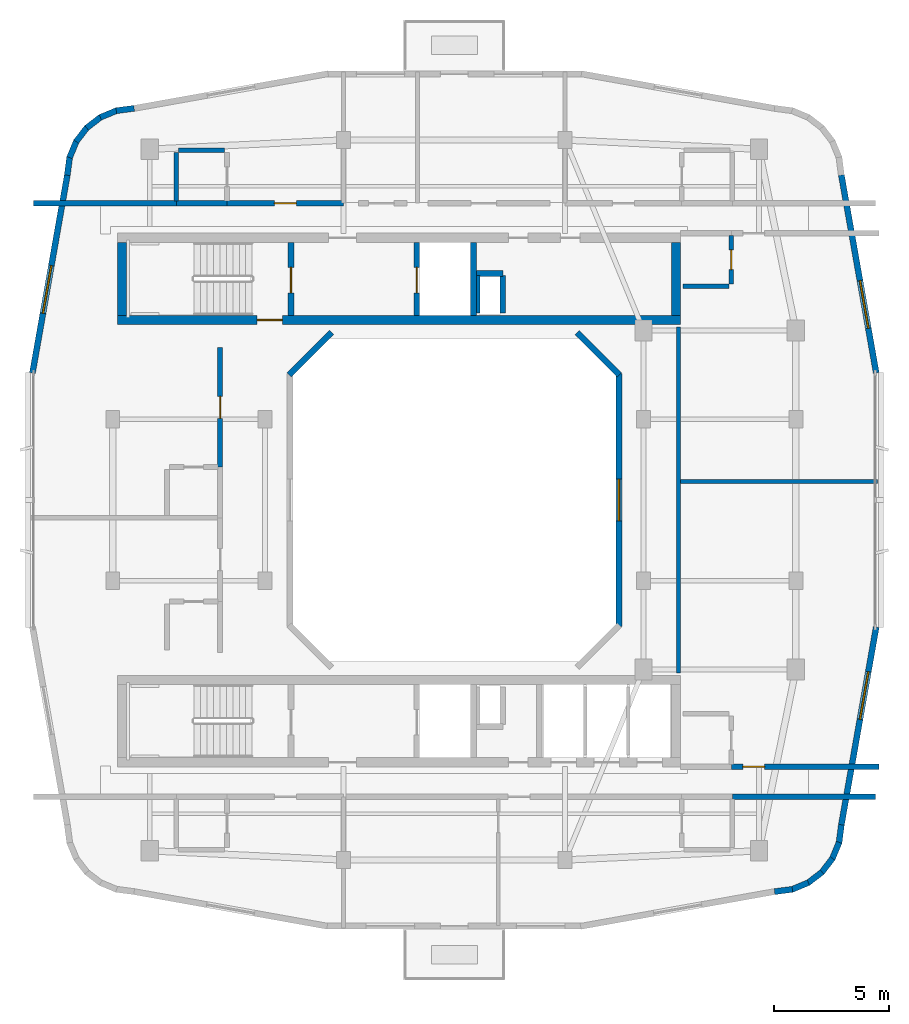
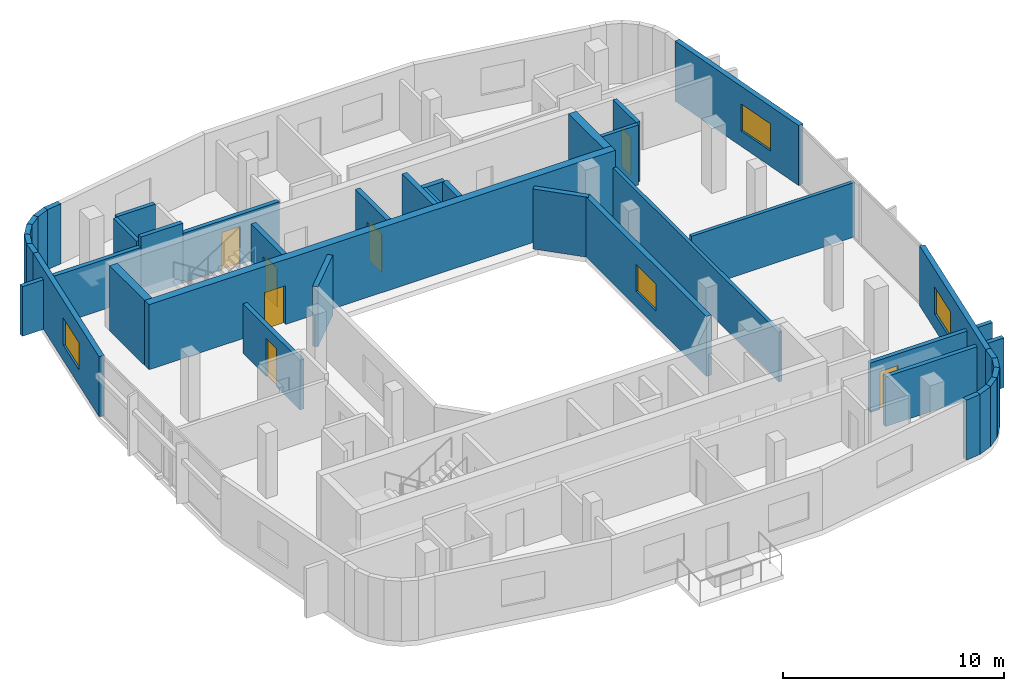
# One storey, part 5 of 10: 39 walls, 7 doors, 4 windows, 11 openings.
"""IFC4 building model written with IfcOpenShell, lengths in metres."""

from ifc_helpers import new_model, si_unit, derived_unit, direction, frame, frame_2d, origin, place, context, subcontext, project, spatial, rectangle, extrude, material, layer, layer_set, type_object, element, fill, save


model = new_model("IFC4")

# Units and contexts
model_context = context("Model", 3, precision=1e-05, world=origin(), true_north=direction((0.0, 1.0)))
body_context = subcontext(model_context, "Body", "Model", "MODEL_VIEW")
ifc_project = project(units=[si_unit("LENGTHUNIT", "METRE"), si_unit("AREAUNIT", "SQUARE_METRE"), si_unit("VOLUMEUNIT", "CUBIC_METRE"), si_unit("PLANEANGLEUNIT", "RADIAN"), si_unit("MASSUNIT", "GRAM", prefix="KILO"), derived_unit("THERMALTRANSMITTANCEUNIT", [(si_unit("POWERUNIT", "WATT"), 1), (si_unit("LENGTHUNIT", "METRE"), -2), (si_unit("THERMODYNAMICTEMPERATUREUNIT", "KELVIN"), -1)])], contexts=[model_context])

# Site, building, storey
site_placement = place(None, origin())
site = spatial("IfcSite", under=ifc_project, at=site_placement, CompositionType="ELEMENT")
building_placement = place(site_placement, origin())
building = spatial("IfcBuilding", under=site, at=building_placement, Name="Kivonza Crest Hotel", CompositionType="ELEMENT")
storey_placement = place(building_placement, frame((0.0, 0.0, 243.199951171875)))
storey = spatial("IfcBuildingStorey", under=building, at=storey_placement, Name="L66", CompositionType="ELEMENT", Elevation=243.199951171875)

# Walls
ifc_material_1 = material(Name="High-density acoustic masonry inter-tenancy wall", Category="masonry")
ifc_layer_1 = layer(ifc_material_1, 0.179931640625)
ifc_layer_set_1 = layer_set([ifc_layer_1], Name="High-density acoustic masonry inter-tenancy wall")
wall_type_1 = type_object("IfcWallType", Name="WL-ACOU-180", PredefinedType="SOLIDWALL", material=ifc_layer_set_1)
wall_1_placement = place(storey_placement, frame((30.800048828125, 25.800048828125, 0.0), z_axis=(0.0, 0.0, 1.0), x_axis=(1.0, 0.0, 0.0)))
element("IfcWall", 1, at=wall_1_placement, inside=storey, type_object=wall_type_1, Name="L66 interior partition WA-L66-T1EC-DIV", PredefinedType="SOLIDWALL", context=body_context, shape_type="SweptSolid", body=[
    extrude(rectangle(XDim=8.5400390625, YDim=0.179931640625, at=frame_2d((4.27001953125, 0.0))), origin(), (0.0, 0.0, 1.0), 3.01513671875),
])
wall_2_placement = place(storey_placement, frame((30.7099609375, 17.5, 0.0), z_axis=(0.0, 0.0, 1.0), x_axis=(0.0, 1.0, 0.0)))
element("IfcWall", 2, at=wall_2_placement, inside=storey, type_object=wall_type_1, Name="L66 interior partition WA-L66-T1EC-W", PredefinedType="SOLIDWALL", context=body_context, shape_type="SweptSolid", body=[
    extrude(rectangle(XDim=15.0, YDim=0.179931640625, at=frame_2d((7.5, 0.0))), origin(), (0.0, 0.0, 1.0), 2.7451171875),
])
ifc_material_2 = material(Name="Autoclaved aerated concrete blockwork", Category="masonry")
ifc_layer_2 = layer(ifc_material_2, 0.219970703125)
ifc_layer_set_2 = layer_set([ifc_layer_2], Name="Autoclaved aerated concrete blockwork")
wall_type_2 = type_object("IfcWallType", Name="WL-ACOU-220", PredefinedType="SOLIDWALL", material=ifc_layer_set_2)
wall_3_placement = place(storey_placement, frame((2.760009765625, 37.860107421875, 0.0), z_axis=(0.0, 0.0, 1.0), x_axis=(1.0, 0.0, 0.0)))
element("IfcWall", 3, at=wall_3_placement, inside=storey, type_object=wall_type_2, Name="L66 interior partition WA-L66-N01-XCORR", PredefinedType="SOLIDWALL", context=body_context, shape_type="SweptSolid", body=[
    extrude(rectangle(XDim=6.18994140625, YDim=0.219970703125, at=frame_2d((3.094970703125, 0.0))), origin(), (0.0, 0.0, 1.0), 2.7451171875),
])
wall_4_placement = place(storey_placement, frame((8.949951171875, 37.860107421875, 0.0), z_axis=(0.0, 0.0, 1.0), x_axis=(1.0, 0.0, 0.0)))
element("IfcWall", 4, at=wall_4_placement, inside=storey, type_object=wall_type_2, Name="L66 interior partition WA-L66-N01-BCORR", PredefinedType="SOLIDWALL", context=body_context, shape_type="SweptSolid", body=[
    extrude(rectangle(XDim=2.199951171875, YDim=0.219970703125, at=frame_2d((1.10009765625, 0.0))), origin(), (0.0, 0.0, 1.0), 3.320068359375),
])

# Wall, opening, door
wall_5_placement = place(storey_placement, frame((11.14990234375, 37.860107421875, 0.0), z_axis=(0.0, 0.0, 1.0), x_axis=(1.0, 0.0, 0.0)))
wall_5 = element("IfcWall", 5, at=wall_5_placement, inside=storey, type_object=wall_type_2, Name="L66 interior partition WA-L66-N01-MCORR", PredefinedType="SOLIDWALL", context=body_context, shape_type="SweptSolid", body=[
    extrude(rectangle(XDim=5.050048828125, YDim=0.219970703125, at=frame_2d((2.52490234375, 0.0))), origin(), (0.0, 0.0, 1.0), 2.7451171875),
])
opening_1_placement = place(wall_5_placement, frame((2.050048828125, 0.0, 0.0)))
opening_1 = element("IfcOpeningElement", 6, at=opening_1_placement, cuts=wall_5, Name="Opening DU-60", PredefinedType="OPENING", context=body_context, shape_type="SweptSolid", body=[
    extrude(rectangle(XDim=0.949951171875, YDim=2.10009765625, at=frame_2d((0.47509765625, 1.050048828125))), frame((0.0, 0.1201171875, 0.0), z_axis=(0.0, -1.0, 0.0), x_axis=(1.0, 0.0, 0.0)), (0.0, 0.0, 1.0), 0.239990234375),
])
ifc_material_3 = material(Name="Hardwood timber oak", Category="wood")
door_type_1 = type_object("IfcDoorType", Name="DR-UNIT-950", OperationType="NOTDEFINED", PredefinedType="DOOR", material=ifc_material_3)
door_1_placement = place(opening_1_placement, origin())
door_1 = element("IfcDoor", 7, at=door_1_placement, inside=storey, type_object=door_type_1, Name="L66 N01 guest unit entrance fire door", OperationType="SINGLE_SWING_LEFT", OverallHeight=2.10009765625, OverallWidth=0.949951171875, PredefinedType="DOOR", context=body_context, shape_type="SweptSolid", body=[
    extrude(rectangle(XDim=0.949951171875, YDim=2.10009765625, at=frame_2d((0.47509765625, 1.050048828125))), frame((0.0, 0.02490234375, 0.0), z_axis=(0.0, -1.0, 0.0), x_axis=(1.0, 0.0, 0.0)), (0.0, 0.0, 1.0), 0.050048828125),
])
fill(opening_1, door_1)

# Wall
wall_6_placement = place(storey_placement, frame((33.050048828125, 12.139892578125, 0.0), z_axis=(0.0, 0.0, 1.0), x_axis=(1.0, 0.0, 0.0)))
element("IfcWall", 8, at=wall_6_placement, inside=storey, type_object=wall_type_2, Name="L66 interior partition WA-L66-S04-XCORR", PredefinedType="SOLIDWALL", context=body_context, shape_type="SweptSolid", body=[
    extrude(rectangle(XDim=6.18994140625, YDim=0.219970703125, at=frame_2d((3.094970703125, 0.0))), origin(), (0.0, 0.0, 1.0), 2.7451171875),
])

# Wall, opening, door
wall_7_placement = place(storey_placement, frame((10.85009765625, 26.429931640625, 0.0), z_axis=(0.0, 0.0, 1.0), x_axis=(0.0, 1.0, 0.0)))
wall_7 = element("IfcWall", 9, at=wall_7_placement, inside=storey, type_object=wall_type_2, Name="L66 interior partition WA-L66-W06-MCORR", PredefinedType="SOLIDWALL", context=body_context, shape_type="SweptSolid", body=[
    extrude(rectangle(XDim=5.170166015625, YDim=0.219970703125, at=frame_2d((2.5849609375, 0.0))), origin(), (0.0, 0.0, 1.0), 2.7451171875),
])
opening_2_placement = place(wall_7_placement, frame((2.110107421875, 0.0, 0.0)))
opening_2 = element("IfcOpeningElement", 10, at=opening_2_placement, cuts=wall_7, Name="Opening DU-60", PredefinedType="OPENING", context=body_context, shape_type="SweptSolid", body=[
    extrude(rectangle(XDim=0.949951171875, YDim=2.10009765625, at=frame_2d((0.47509765625, 1.050048828125))), frame((0.0, 0.1201171875, 0.0), z_axis=(0.0, -1.0, 0.0), x_axis=(1.0, 0.0, 0.0)), (0.0, 0.0, 1.0), 0.239990234375),
])
door_2_placement = place(opening_2_placement, origin())
door_2 = element("IfcDoor", 11, at=door_2_placement, inside=storey, type_object=door_type_1, Name="L66 W06 guest unit entrance fire door", OperationType="SINGLE_SWING_RIGHT", OverallHeight=2.10009765625, OverallWidth=0.949951171875, PredefinedType="DOOR", context=body_context, shape_type="SweptSolid", body=[
    extrude(rectangle(XDim=0.949951171875, YDim=2.10009765625, at=frame_2d((0.47509765625, 1.050048828125))), frame((0.0, 0.02490234375, 0.0), z_axis=(0.0, -1.0, 0.0), x_axis=(1.0, 0.0, 0.0)), (0.0, 0.0, 1.0), 0.050048828125),
])
fill(opening_2, door_2)

wall_8_placement = place(storey_placement, frame((33.0, 13.43994140625, 0.0), z_axis=(0.0, 0.0, 1.0), x_axis=(1.0, 0.0, 0.0)))
wall_8 = element("IfcWall", 12, at=wall_8_placement, inside=storey, type_object=wall_type_2, Name="L66 interior partition WA-L66-ES07-MCORR", PredefinedType="SOLIDWALL", context=body_context, shape_type="SweptSolid", body=[
    extrude(rectangle(XDim=6.39990234375, YDim=0.219970703125, at=frame_2d((3.199951171875, 0.0))), origin(), (0.0, 0.0, 1.0), 2.7451171875),
])
opening_3_placement = place(wall_8_placement, frame((0.5, 0.0, 0.0)))
opening_3 = element("IfcOpeningElement", 13, at=opening_3_placement, cuts=wall_8, Name="Opening DU-60", PredefinedType="OPENING", context=body_context, shape_type="SweptSolid", body=[
    extrude(rectangle(XDim=0.949951171875, YDim=2.10009765625, at=frame_2d((0.47509765625, 1.050048828125))), frame((0.0, 0.1201171875, 0.0), z_axis=(0.0, -1.0, 0.0), x_axis=(1.0, 0.0, 0.0)), (0.0, 0.0, 1.0), 0.239990234375),
])
door_3_placement = place(opening_3_placement, origin())
door_3 = element("IfcDoor", 14, at=door_3_placement, inside=storey, type_object=door_type_1, Name="L66 ES07 guest unit entrance fire door", OperationType="SINGLE_SWING_RIGHT", OverallHeight=2.10009765625, OverallWidth=0.949951171875, PredefinedType="DOOR", context=body_context, shape_type="SweptSolid", body=[
    extrude(rectangle(XDim=0.949951171875, YDim=2.10009765625, at=frame_2d((0.47509765625, 1.050048828125))), frame((0.0, 0.02490234375, 0.0), z_axis=(0.0, -1.0, 0.0), x_axis=(1.0, 0.0, 0.0)), (0.0, 0.0, 1.0), 0.050048828125),
])
fill(opening_3, door_3)

ifc_material_4 = material(Name="Concrete C50/60", Category="concrete")
ifc_layer_3 = layer(ifc_material_4, 0.39990234375)
ifc_layer_set_3 = layer_set([ifc_layer_3], Name="Concrete C50/60")
wall_type_3 = type_object("IfcWallType", Name="WL-CORE-400", PredefinedType="SHEAR", material=ifc_layer_set_3)
wall_9_placement = place(storey_placement, frame((6.39990234375, 32.800048828125, 0.0), z_axis=(0.0, 0.0, 1.0), x_axis=(1.0, 0.0, 0.0)))
wall_9 = element("IfcWall", 15, at=wall_9_placement, inside=storey, type_object=wall_type_3, Name="Core wall T1-N South L66", PredefinedType="SHEAR", context=body_context, shape_type="SweptSolid", body=[
    extrude(rectangle(XDim=24.400146484375, YDim=0.39990234375, at=frame_2d((12.2001953125, 0.0))), origin(), (0.0, 0.0, 1.0), 3.60009765625),
])
opening_4_placement = place(wall_9_placement, frame((6.050048828125, 0.0, 0.0)))
opening_4 = element("IfcOpeningElement", 16, at=opening_4_placement, cuts=wall_9, Name="Opening DF-120", PredefinedType="OPENING", context=body_context, shape_type="SweptSolid", body=[
    extrude(rectangle(XDim=1.10009765625, YDim=2.14990234375, at=frame_2d((0.550048828125, 1.074951171875))), frame((0.0, 0.2099609375, 0.0), z_axis=(0.0, -1.0, 0.0), x_axis=(1.0, 0.0, 0.0)), (0.0, 0.0, 1.0), 0.419921875),
])
ifc_material_5 = material(Name="Galvanised steel", Category="steel")
door_type_2 = type_object("IfcDoorType", Name="DR-FD120-1100", OperationType="NOTDEFINED", PredefinedType="DOOR", material=ifc_material_5)
door_4_placement = place(opening_4_placement, origin())
door_4 = element("IfcDoor", 17, at=door_4_placement, inside=storey, type_object=door_type_2, Name="L66 West corridor stair access fire door", OperationType="SINGLE_SWING_LEFT", OverallHeight=2.14990234375, OverallWidth=1.10009765625, PredefinedType="DOOR", context=body_context, shape_type="SweptSolid", body=[
    extrude(rectangle(XDim=1.10009765625, YDim=2.14990234375, at=frame_2d((0.550048828125, 1.074951171875))), frame((0.0, 0.02490234375, 0.0), z_axis=(0.0, -1.0, 0.0), x_axis=(1.0, 0.0, 0.0)), (0.0, 0.0, 1.0), 0.050048828125),
])
fill(opening_4, door_4)

# Walls
for number, where, z_axis, x_axis, name in (
    (18, (6.60009765625, 33.0, 0.0), (0.0, 0.0, 1.0), (0.0, 1.0, 0.0), "Core wall T1-N West L66"),
    (19, (30.60009765625, 33.0, 0.0), (0.0, 0.0, 1.0), (0.0, 1.0, 0.0), "Core wall T1-N East L66"),
):
    element("IfcWall", number, at=place(storey_placement, frame(where, z_axis=z_axis, x_axis=x_axis)), inside=storey, type_object=wall_type_3, Name=name, PredefinedType="SHEAR", context=body_context, shape_type="SweptSolid", body=[
        extrude(rectangle(XDim=3.159912109375, YDim=0.39990234375, at=frame_2d((1.580078125, 0.0))), origin(), (0.0, 0.0, 1.0), 3.60009765625),
    ])
ifc_material_6 = material(Name="Precast concrete C40/50", Category="concrete")
ifc_layer_4 = layer(ifc_material_6, 0.260009765625)
ifc_layer_set_4 = layer_set([ifc_layer_4], Name="Precast concrete C40/50")
wall_type_4 = type_object("IfcWallType", Name="WL-EXT-260", PredefinedType="STANDARD", material=ifc_layer_set_4)
wall_10_placement = place(storey_placement, frame((34.875, 8.028076171875, 0.0), z_axis=(0.0, 0.0, 1.0), x_axis=(0.991458553189, 0.130422150372, 0.0)))
element("IfcWall", 20, at=wall_10_placement, inside=storey, type_object=wall_type_4, Name="L66 T1 exterior insulated wall 10", PredefinedType="STANDARD", context=body_context, shape_type="SweptSolid", body=[
    extrude(rectangle(XDim=0.780517578125, YDim=0.260009765625, at=frame_2d((0.39013671875, 0.0))), origin(), (0.0, 0.0, 1.0), 3.320068359375),
])
wall_11_placement = place(storey_placement, frame((35.60302734375, 8.112060546875, 0.0), z_axis=(0.0, 0.0, 1.0), x_axis=(0.923789573295, 0.382900540965, 0.0)))
element("IfcWall", 21, at=wall_11_placement, inside=storey, type_object=wall_type_4, Name="L66 T1 exterior insulated wall 11", PredefinedType="STANDARD", context=body_context, shape_type="SweptSolid", body=[
    extrude(rectangle(XDim=0.798828125, YDim=0.260009765625, at=frame_2d((0.3994140625, 0.0))), origin(), (0.0, 0.0, 1.0), 3.320068359375),
])
for number, where, z_axis, x_axis, name in (
    (22, (36.301025390625, 8.389892578125, 0.0), (0.0, 0.0, 1.0), (0.793158129381, 0.609015748398, 0.0), "L66 T1 exterior insulated wall 12"),
    (23, (36.903076171875, 8.837890625, 0.0), (0.0, 0.0, 1.0), (0.608823262828, 0.793305889705, 0.0), "L66 T1 exterior insulated wall 13"),
):
    element("IfcWall", number, at=place(storey_placement, frame(where, z_axis=z_axis, x_axis=x_axis)), inside=storey, type_object=wall_type_4, Name=name, PredefinedType="STANDARD", context=body_context, shape_type="SweptSolid", body=[
        extrude(rectangle(XDim=0.798095703125, YDim=0.260009765625, at=frame_2d((0.39892578125, 0.0))), origin(), (0.0, 0.0, 1.0), 3.320068359375),
    ])
wall_12_placement = place(storey_placement, frame((37.367919921875, 9.427001953125, 0.0), z_axis=(0.0, 0.0, 1.0), x_axis=(0.383161279238, 0.923681457047, 0.0)))
element("IfcWall", 24, at=wall_12_placement, inside=storey, type_object=wall_type_4, Name="L66 T1 exterior insulated wall 14", PredefinedType="STANDARD", context=body_context, shape_type="SweptSolid", body=[
    extrude(rectangle(XDim=0.799072265625, YDim=0.260009765625, at=frame_2d((0.3994140625, 0.0))), origin(), (0.0, 0.0, 1.0), 3.320068359375),
])
wall_13_placement = place(storey_placement, frame((37.666015625, 10.115966796875, 0.0), z_axis=(0.0, 0.0, 1.0), x_axis=(0.129850802102, 0.99153354416, 0.0)))
element("IfcWall", 25, at=wall_13_placement, inside=storey, type_object=wall_type_4, Name="L66 T1 exterior insulated wall 15", PredefinedType="STANDARD", context=body_context, shape_type="SweptSolid", body=[
    extrude(rectangle(XDim=0.81591796875, YDim=0.260009765625, at=frame_2d((0.407958984375, 0.0))), origin(), (0.0, 0.0, 1.0), 3.320068359375),
])

# Wall, opening, window
wall_14_placement = place(storey_placement, frame((37.77099609375, 10.9150390625, 0.0), z_axis=(0.0, 0.0, 1.0), x_axis=(0.173396937698, 0.984852020355, 0.0)))
wall_14 = element("IfcWall", 26, at=wall_14_placement, inside=storey, type_object=wall_type_4, Name="L66 T1 exterior insulated wall 16", PredefinedType="STANDARD", context=body_context, shape_type="SweptSolid", body=[
    extrude(rectangle(XDim=8.714111328125, YDim=0.260009765625, at=frame_2d((4.35693359375, 0.0))), origin(), (0.0, 0.0, 1.0), 3.320068359375),
])
opening_5_placement = place(wall_14_placement, frame((4.64697265625, 0.0, 0.85009765625)))
opening_5 = element("IfcOpeningElement", 27, at=opening_5_placement, cuts=wall_14, Name="Opening WN-04", PredefinedType="OPENING", context=body_context, shape_type="SweptSolid", body=[
    extrude(rectangle(XDim=2.10009765625, YDim=1.5, at=frame_2d((1.050048828125, 0.75))), frame((0.0, 0.14013671875, 0.0), z_axis=(0.0, -1.0, 0.0), x_axis=(1.0, 0.0, 0.0)), (0.0, 0.0, 1.0), 0.280029296875),
])
ifc_material_7 = material(Name="Thermally broken bronze aluminium and low-E double glazing", Category="aluminium")
window_type_1 = type_object("IfcWindowType", Name="WN-210x150", PartitioningType="DOUBLE_PANEL_VERTICAL", PredefinedType="WINDOW", material=ifc_material_7)
window_1_placement = place(opening_5_placement, origin())
window_1 = element("IfcWindow", 28, at=window_1_placement, inside=storey, type_object=window_type_1, Name="L66 T1 facade window 16", OverallHeight=1.5, OverallWidth=2.10009765625, PartitioningType="SINGLE_PANEL", PredefinedType="WINDOW", context=body_context, shape_type="SweptSolid", body=[
    extrude(rectangle(XDim=2.10009765625, YDim=1.5, at=frame_2d((1.050048828125, 0.75))), frame((0.0, 0.030029296875, 0.0), z_axis=(0.0, -1.0, 0.0), x_axis=(1.0, 0.0, 0.0)), (0.0, 0.0, 1.0), 0.06005859375),
])
fill(opening_5, window_1)

wall_15_placement = place(storey_placement, frame((39.281982421875, 30.5029296875, 0.0), z_axis=(0.0, 0.0, 1.0), x_axis=(-0.173396937698, 0.984852020355, 0.0)))
wall_15 = element("IfcWall", 29, at=wall_15_placement, inside=storey, type_object=wall_type_4, Name="L66 T1 exterior insulated wall 18", PredefinedType="STANDARD", context=body_context, shape_type="SweptSolid", body=[
    extrude(rectangle(XDim=8.714111328125, YDim=0.260009765625, at=frame_2d((4.35693359375, 0.0))), origin(), (0.0, 0.0, 1.0), 3.320068359375),
])
opening_6_placement = place(wall_15_placement, frame((1.967041015625, 0.0, 0.85009765625)))
opening_6 = element("IfcOpeningElement", 30, at=opening_6_placement, cuts=wall_15, Name="Opening WN-04", PredefinedType="OPENING", context=body_context, shape_type="SweptSolid", body=[
    extrude(rectangle(XDim=2.10009765625, YDim=1.5, at=frame_2d((1.050048828125, 0.75))), frame((0.0, 0.14013671875, 0.0), z_axis=(0.0, -1.0, 0.0), x_axis=(1.0, 0.0, 0.0)), (0.0, 0.0, 1.0), 0.280029296875),
])
window_2_placement = place(opening_6_placement, origin())
window_2 = element("IfcWindow", 31, at=window_2_placement, inside=storey, type_object=window_type_1, Name="L66 T1 facade window 18", OverallHeight=1.5, OverallWidth=2.10009765625, PartitioningType="SINGLE_PANEL", PredefinedType="WINDOW", context=body_context, shape_type="SweptSolid", body=[
    extrude(rectangle(XDim=2.10009765625, YDim=1.5, at=frame_2d((1.050048828125, 0.75))), frame((0.0, 0.030029296875, 0.0), z_axis=(0.0, -1.0, 0.0), x_axis=(1.0, 0.0, 0.0)), (0.0, 0.0, 1.0), 0.06005859375),
])
fill(opening_6, window_2)

# Walls
wall_16_placement = place(storey_placement, frame((7.125, 41.971923828125, 0.0), z_axis=(0.0, 0.0, 1.0), x_axis=(-0.991458553189, -0.130422150372, 0.0)))
element("IfcWall", 32, at=wall_16_placement, inside=storey, type_object=wall_type_4, Name="L66 T1 exterior insulated wall 28", PredefinedType="STANDARD", context=body_context, shape_type="SweptSolid", body=[
    extrude(rectangle(XDim=0.780517578125, YDim=0.260009765625, at=frame_2d((0.39013671875, 0.0))), origin(), (0.0, 0.0, 1.0), 3.320068359375),
])
wall_17_placement = place(storey_placement, frame((6.39697265625, 41.887939453125, 0.0), z_axis=(0.0, 0.0, 1.0), x_axis=(-0.923789573295, -0.382900540965, 0.0)))
element("IfcWall", 33, at=wall_17_placement, inside=storey, type_object=wall_type_4, Name="L66 T1 exterior insulated wall 29", PredefinedType="STANDARD", context=body_context, shape_type="SweptSolid", body=[
    extrude(rectangle(XDim=0.798828125, YDim=0.260009765625, at=frame_2d((0.3994140625, 0.0))), origin(), (0.0, 0.0, 1.0), 3.320068359375),
])
for number, where, z_axis, x_axis, name in (
    (34, (5.698974609375, 41.610107421875, 0.0), (0.0, 0.0, 1.0), (-0.793158129381, -0.609015748398, 0.0), "L66 T1 exterior insulated wall 30"),
    (35, (5.096923828125, 41.162109375, 0.0), (0.0, 0.0, 1.0), (-0.608823262828, -0.793305889705, 0.0), "L66 T1 exterior insulated wall 31"),
):
    element("IfcWall", number, at=place(storey_placement, frame(where, z_axis=z_axis, x_axis=x_axis)), inside=storey, type_object=wall_type_4, Name=name, PredefinedType="STANDARD", context=body_context, shape_type="SweptSolid", body=[
        extrude(rectangle(XDim=0.798095703125, YDim=0.260009765625, at=frame_2d((0.39892578125, 0.0))), origin(), (0.0, 0.0, 1.0), 3.320068359375),
    ])
wall_18_placement = place(storey_placement, frame((4.632080078125, 40.572998046875, 0.0), z_axis=(0.0, 0.0, 1.0), x_axis=(-0.383161279238, -0.923681457047, 0.0)))
element("IfcWall", 36, at=wall_18_placement, inside=storey, type_object=wall_type_4, Name="L66 T1 exterior insulated wall 32", PredefinedType="STANDARD", context=body_context, shape_type="SweptSolid", body=[
    extrude(rectangle(XDim=0.799072265625, YDim=0.260009765625, at=frame_2d((0.3994140625, 0.0))), origin(), (0.0, 0.0, 1.0), 3.320068359375),
])
wall_19_placement = place(storey_placement, frame((4.333984375, 39.884033203125, 0.0), z_axis=(0.0, 0.0, 1.0), x_axis=(-0.129850802102, -0.99153354416, 0.0)))
element("IfcWall", 37, at=wall_19_placement, inside=storey, type_object=wall_type_4, Name="L66 T1 exterior insulated wall 33", PredefinedType="STANDARD", context=body_context, shape_type="SweptSolid", body=[
    extrude(rectangle(XDim=0.81591796875, YDim=0.260009765625, at=frame_2d((0.407958984375, 0.0))), origin(), (0.0, 0.0, 1.0), 3.320068359375),
])

# Wall, opening, window
wall_20_placement = place(storey_placement, frame((4.22900390625, 39.0849609375, 0.0), z_axis=(0.0, 0.0, 1.0), x_axis=(-0.173396937698, -0.984852020355, 0.0)))
wall_20 = element("IfcWall", 38, at=wall_20_placement, inside=storey, type_object=wall_type_4, Name="L66 T1 exterior insulated wall 34", PredefinedType="STANDARD", context=body_context, shape_type="SweptSolid", body=[
    extrude(rectangle(XDim=8.714111328125, YDim=0.260009765625, at=frame_2d((4.35693359375, 0.0))), origin(), (0.0, 0.0, 1.0), 3.320068359375),
])
opening_7_placement = place(wall_20_placement, frame((3.987060546875, 0.0, 0.85009765625)))
opening_7 = element("IfcOpeningElement", 39, at=opening_7_placement, cuts=wall_20, Name="Opening WN-04", PredefinedType="OPENING", context=body_context, shape_type="SweptSolid", body=[
    extrude(rectangle(XDim=2.10009765625, YDim=1.5, at=frame_2d((1.050048828125, 0.75))), frame((0.0, 0.14013671875, 0.0), z_axis=(0.0, -1.0, 0.0), x_axis=(1.0, 0.0, 0.0)), (0.0, 0.0, 1.0), 0.280029296875),
])
window_3_placement = place(opening_7_placement, origin())
window_3 = element("IfcWindow", 40, at=window_3_placement, inside=storey, type_object=window_type_1, Name="L66 T1 facade window 34", OverallHeight=1.5, OverallWidth=2.10009765625, PartitioningType="SINGLE_PANEL", PredefinedType="WINDOW", context=body_context, shape_type="SweptSolid", body=[
    extrude(rectangle(XDim=2.10009765625, YDim=1.5, at=frame_2d((1.050048828125, 0.75))), frame((0.0, 0.030029296875, 0.0), z_axis=(0.0, -1.0, 0.0), x_axis=(1.0, 0.0, 0.0)), (0.0, 0.0, 1.0), 0.06005859375),
])
fill(opening_7, window_3)

wall_21_placement = place(storey_placement, frame((28.1298828125, 19.510009765625, 0.0), z_axis=(0.0, 0.0, 1.0), x_axis=(0.0, 1.0, 0.0)))
wall_21 = element("IfcWall", 41, at=wall_21_placement, inside=storey, type_object=wall_type_4, Name="L66 T1 light-well exterior wall 3", PredefinedType="STANDARD", context=body_context, shape_type="SweptSolid", body=[
    extrude(rectangle(XDim=10.97998046875, YDim=0.260009765625, at=frame_2d((5.489990234375, 0.0))), origin(), (0.0, 0.0, 1.0), 3.320068359375),
])
opening_8_placement = place(wall_21_placement, frame((4.590087890625, 0.0, 0.85009765625)))
opening_8 = element("IfcOpeningElement", 42, at=opening_8_placement, cuts=wall_21, Name="Opening WN-03", PredefinedType="OPENING", context=body_context, shape_type="SweptSolid", body=[
    extrude(rectangle(XDim=1.800048828125, YDim=1.5, at=frame_2d((0.89990234375, 0.75))), frame((0.0, 0.14013671875, 0.0), z_axis=(0.0, -1.0, 0.0), x_axis=(1.0, 0.0, 0.0)), (0.0, 0.0, 1.0), 0.280029296875),
])
window_type_2 = type_object("IfcWindowType", Name="WN-180x150", PartitioningType="DOUBLE_PANEL_VERTICAL", PredefinedType="WINDOW", material=ifc_material_7)
window_4_placement = place(opening_8_placement, origin())
window_4 = element("IfcWindow", 43, at=window_4_placement, inside=storey, type_object=window_type_2, Name="L66 T1 light-well window 3", OverallHeight=1.5, OverallWidth=1.800048828125, PartitioningType="SINGLE_PANEL", PredefinedType="WINDOW", context=body_context, shape_type="SweptSolid", body=[
    extrude(rectangle(XDim=1.800048828125, YDim=1.5, at=frame_2d((0.89990234375, 0.75))), frame((0.0, 0.030029296875, 0.0), z_axis=(0.0, -1.0, 0.0), x_axis=(1.0, 0.0, 0.0)), (0.0, 0.0, 1.0), 0.06005859375),
])
fill(opening_8, window_4)

# Walls
for number, where, z_axis, x_axis, name in (
    (44, (28.156005859375, 30.427978515625, 0.0), (0.0, 0.0, 1.0), (-0.707106781187, 0.707106781187, 0.0), "L66 T1 light-well exterior wall 4"),
    (45, (15.677978515625, 32.261962890625, 0.0), (0.0, 0.0, 1.0), (-0.707106781187, -0.707106781187, 0.0), "L66 T1 light-well exterior wall 6"),
):
    element("IfcWall", number, at=place(storey_placement, frame(where, z_axis=z_axis, x_axis=x_axis)), inside=storey, type_object=wall_type_4, Name=name, PredefinedType="STANDARD", context=body_context, shape_type="SweptSolid", body=[
        extrude(rectangle(XDim=2.59375, YDim=0.260009765625, at=frame_2d((1.296875, 0.0))), origin(), (0.0, 0.0, 1.0), 3.320068359375),
    ])
ifc_material_8 = material(Name="Concrete blockwork fire-compartment wall", Category="masonry")
ifc_layer_5 = layer(ifc_material_8, 0.25)
ifc_layer_set_5 = layer_set([ifc_layer_5], Name="Concrete blockwork fire-compartment wall")
wall_type_5 = type_object("IfcWallType", Name="WL-FIRE-250", PredefinedType="SOLIDWALL", material=ifc_layer_set_5)
wall_22_placement = place(storey_placement, frame((23.10009765625, 33.10009765625, 0.0), z_axis=(0.0, 0.0, 1.0), x_axis=(0.0, 1.0, 0.0)))
element("IfcWall", 46, at=wall_22_placement, inside=storey, type_object=wall_type_5, Name="L66 interior partition WA-L66-T1-N-MEPR-E", PredefinedType="SOLIDWALL", context=body_context, shape_type="SweptSolid", body=[
    extrude(rectangle(XDim=1.619873046875, YDim=0.25, at=frame_2d((0.81005859375, 0.0))), origin(), (0.0, 0.0, 1.0), 3.320068359375),
])
wall_23_placement = place(storey_placement, frame((21.949951171875, 34.820068359375, 0.0), z_axis=(0.0, 0.0, 1.0), x_axis=(1.0, 0.0, 0.0)))
element("IfcWall", 47, at=wall_23_placement, inside=storey, type_object=wall_type_5, Name="L66 interior partition WA-L66-T1-N-MEPR-H", PredefinedType="SOLIDWALL", context=body_context, shape_type="SweptSolid", body=[
    extrude(rectangle(XDim=1.150146484375, YDim=0.25, at=frame_2d((0.5751953125, 0.0))), origin(), (0.0, 0.0, 1.0), 3.320068359375),
])
ifc_material_9 = material(Name="Twin-stud acoustic gypsum board partition", Category="gypsum")
ifc_layer_6 = layer(ifc_material_9, 0.14990234375)
ifc_layer_set_6 = layer_set([ifc_layer_6], Name="Twin-stud acoustic gypsum board partition")
wall_type_6 = type_object("IfcWallType", Name="WL-PART-150", PredefinedType="PARTITIONING", material=ifc_layer_set_6)
wall_24_placement = place(storey_placement, frame((22.030029296875, 33.10009765625, 0.0), z_axis=(0.0, 0.0, 1.0), x_axis=(0.0, 1.0, 0.0)))
element("IfcWall", 48, at=wall_24_placement, inside=storey, type_object=wall_type_6, Name="L66 interior partition WA-L66-T1-N-MEPR-W", PredefinedType="PARTITIONING", context=body_context, shape_type="SweptSolid", body=[
    extrude(rectangle(XDim=1.619873046875, YDim=0.14990234375, at=frame_2d((0.81005859375, 0.0))), origin(), (0.0, 0.0, 1.0), 3.320068359375),
])
ifc_material_10 = material(Name="Moisture-resistant plumbing chase partition wall", Category="gypsum")
ifc_layer_7 = layer(ifc_material_10, 0.199951171875)
ifc_layer_set_7 = layer_set([ifc_layer_7], Name="Moisture-resistant plumbing chase partition wall")
wall_type_7 = type_object("IfcWallType", Name="WL-PLUMB-200", PredefinedType="PLUMBINGWALL", material=ifc_layer_set_7)
wall_25_placement = place(storey_placement, frame((9.050048828125, 40.159912109375, 0.0), z_axis=(0.0, 0.0, 1.0), x_axis=(1.0, 0.0, 0.0)))
element("IfcWall", 49, at=wall_25_placement, inside=storey, type_object=wall_type_7, Name="L66 interior partition WW-L66-N01-BH", PredefinedType="PLUMBINGWALL", context=body_context, shape_type="SweptSolid", body=[
    extrude(rectangle(XDim=2.0, YDim=0.199951171875, at=frame_2d((1.0, 0.0))), origin(), (0.0, 0.0, 1.0), 3.01513671875),
])
wall_26_placement = place(storey_placement, frame((8.949951171875, 37.9599609375, 0.0), z_axis=(0.0, 0.0, 1.0), x_axis=(0.0, 1.0, 0.0)))
element("IfcWall", 50, at=wall_26_placement, inside=storey, type_object=wall_type_7, Name="L66 interior partition WW-L66-N01-BVW", PredefinedType="PLUMBINGWALL", context=body_context, shape_type="SweptSolid", body=[
    extrude(rectangle(XDim=2.10009765625, YDim=0.199951171875, at=frame_2d((1.050048828125, 0.0))), origin(), (0.0, 0.0, 1.0), 2.9951171875),
])

# Wall, opening, door
wall_27_placement = place(storey_placement, frame((33.0, 34.360107421875, 0.0), z_axis=(0.0, 0.0, 1.0), x_axis=(0.0, 1.0, 0.0)))
wall_27 = element("IfcWall", 51, at=wall_27_placement, inside=storey, type_object=wall_type_7, Name="L66 interior partition WW-L66-EN08-BV", PredefinedType="PLUMBINGWALL", context=body_context, shape_type="SweptSolid", body=[
    extrude(rectangle(XDim=2.099853515625, YDim=0.199951171875, at=frame_2d((1.0498046875, 0.0))), origin(), (0.0, 0.0, 1.0), 3.320068359375),
])
opening_9_placement = place(wall_27_placement, frame((0.625, 0.0, 0.0)))
opening_9 = element("IfcOpeningElement", 52, at=opening_9_placement, cuts=wall_27, Name="Opening DI-85", PredefinedType="OPENING", context=body_context, shape_type="SweptSolid", body=[
    extrude(rectangle(XDim=0.85009765625, YDim=2.10009765625, at=frame_2d((0.425048828125, 1.050048828125))), frame((0.0, 0.10986328125, 0.0), z_axis=(0.0, -1.0, 0.0), x_axis=(1.0, 0.0, 0.0)), (0.0, 0.0, 1.0), 0.219970703125),
])
door_type_3 = type_object("IfcDoorType", Name="DR-INT-850", OperationType="NOTDEFINED", PredefinedType="DOOR", material=ifc_material_3)
door_5_placement = place(opening_9_placement, frame((0.85009765625, 0.0, 0.0), z_axis=(0.0, 0.0, 1.0), x_axis=(-1.0, 0.0, 0.0)))
door_5 = element("IfcDoor", 53, at=door_5_placement, inside=storey, type_object=door_type_3, Name="L66 EN08 en-suite bathroom door", OperationType="SINGLE_SWING_RIGHT", OverallHeight=2.10009765625, OverallWidth=0.85009765625, PredefinedType="DOOR", context=body_context, shape_type="SweptSolid", body=[
    extrude(rectangle(XDim=0.85009765625, YDim=2.10009765625, at=frame_2d((0.425048828125, 1.050048828125))), frame((0.0, 0.02490234375, 0.0), z_axis=(0.0, -1.0, 0.0), x_axis=(1.0, 0.0, 0.0)), (0.0, 0.0, 1.0), 0.050048828125),
])
fill(opening_9, door_5)

# Wall
wall_28_placement = place(storey_placement, frame((30.89990234375, 34.260009765625, 0.0), z_axis=(0.0, 0.0, 1.0), x_axis=(1.0, 0.0, 0.0)))
element("IfcWall", 54, at=wall_28_placement, inside=storey, type_object=wall_type_7, Name="L66 interior partition WW-L66-EN08-BH", PredefinedType="PLUMBINGWALL", context=body_context, shape_type="SweptSolid", body=[
    extrude(rectangle(XDim=2.0, YDim=0.199951171875, at=frame_2d((1.0, 0.0))), origin(), (0.0, 0.0, 1.0), 3.320068359375),
])

# Wall, opening, door
ifc_layer_8 = layer(ifc_material_4, 0.25)
ifc_layer_set_8 = layer_set([ifc_layer_8], Name="Concrete C50/60")
wall_type_8 = type_object("IfcWallType", Name="WL-SHAFT-250", PredefinedType="STANDARD", material=ifc_layer_set_8)
wall_29_placement = place(storey_placement, frame((13.925048828125, 33.0, 0.0), z_axis=(0.0, 0.0, 1.0), x_axis=(0.0, 1.0, 0.0)))
wall_29 = element("IfcWall", 55, at=wall_29_placement, inside=storey, type_object=wall_type_8, Name="Core shaft wall T1-N STAIR L66", PredefinedType="STANDARD", context=body_context, shape_type="SweptSolid", body=[
    extrude(rectangle(XDim=3.159912109375, YDim=0.25, at=frame_2d((1.580078125, 0.0))), origin(), (0.0, 0.0, 1.0), 3.320068359375),
])
opening_10_placement = place(wall_29_placement, frame((0.97998046875, 0.0, 0.0)))
opening_10 = element("IfcOpeningElement", 56, at=opening_10_placement, cuts=wall_29, Name="Opening DF-120", PredefinedType="OPENING", context=body_context, shape_type="SweptSolid", body=[
    extrude(rectangle(XDim=1.10009765625, YDim=2.14990234375, at=frame_2d((0.550048828125, 1.074951171875))), frame((0.0, 0.135009765625, 0.0), z_axis=(0.0, -1.0, 0.0), x_axis=(1.0, 0.0, 0.0)), (0.0, 0.0, 1.0), 0.27001953125),
])
door_6_placement = place(opening_10_placement, frame((1.10009765625, 0.0, 0.0), z_axis=(0.0, 0.0, 1.0), x_axis=(-1.0, 0.0, 0.0)))
door_6 = element("IfcDoor", 57, at=door_6_placement, inside=storey, type_object=door_type_2, Name="L66 T1-N stair fire door", OperationType="SINGLE_SWING_LEFT", OverallHeight=2.14990234375, OverallWidth=1.10009765625, PredefinedType="DOOR", context=body_context, shape_type="SweptSolid", body=[
    extrude(rectangle(XDim=1.10009765625, YDim=2.14990234375, at=frame_2d((0.550048828125, 1.074951171875))), frame((0.0, 0.02490234375, 0.0), z_axis=(0.0, -1.0, 0.0), x_axis=(1.0, 0.0, 0.0)), (0.0, 0.0, 1.0), 0.050048828125),
])
fill(opening_10, door_6)

wall_30_placement = place(storey_placement, frame((19.375, 33.0, 0.0), z_axis=(0.0, 0.0, 1.0), x_axis=(0.0, 1.0, 0.0)))
wall_30 = element("IfcWall", 58, at=wall_30_placement, inside=storey, type_object=wall_type_8, Name="Core shaft wall T1-N FFL-W L66", PredefinedType="STANDARD", context=body_context, shape_type="SweptSolid", body=[
    extrude(rectangle(XDim=3.159912109375, YDim=0.25, at=frame_2d((1.580078125, 0.0))), origin(), (0.0, 0.0, 1.0), 3.320068359375),
])
opening_11_placement = place(wall_30_placement, frame((0.97998046875, 0.0, 0.0)))
opening_11 = element("IfcOpeningElement", 59, at=opening_11_placement, cuts=wall_30, Name="Opening LD-120", PredefinedType="OPENING", context=body_context, shape_type="SweptSolid", body=[
    extrude(rectangle(XDim=1.10009765625, YDim=2.14990234375, at=frame_2d((0.550048828125, 1.074951171875))), frame((0.0, 0.135009765625, 0.0), z_axis=(0.0, -1.0, 0.0), x_axis=(1.0, 0.0, 0.0)), (0.0, 0.0, 1.0), 0.27001953125),
])
ifc_material_11 = material(Name="Stainless steel", Category="steel")
door_type_4 = type_object("IfcDoorType", Name="DR-LD120-1100", OperationType="NOTDEFINED", PredefinedType="DOOR", material=ifc_material_11)
door_7_placement = place(opening_11_placement, origin())
door_7 = element("IfcDoor", 60, at=door_7_placement, inside=storey, type_object=door_type_4, Name="L66 FFL-T1-N firefighting lift sliding landing door", OperationType="DOUBLE_DOOR_SLIDING", OverallHeight=2.14990234375, OverallWidth=1.10009765625, PredefinedType="DOOR", context=body_context, shape_type="SweptSolid", body=[
    extrude(rectangle(XDim=1.10009765625, YDim=2.14990234375, at=frame_2d((0.550048828125, 1.074951171875))), frame((0.0, 0.02490234375, 0.0), z_axis=(0.0, -1.0, 0.0), x_axis=(1.0, 0.0, 0.0)), (0.0, 0.0, 1.0), 0.050048828125),
])
fill(opening_11, door_7)

# Wall
wall_31_placement = place(storey_placement, frame((21.824951171875, 33.0, 0.0), z_axis=(0.0, 0.0, 1.0), x_axis=(0.0, 1.0, 0.0)))
element("IfcWall", 61, at=wall_31_placement, inside=storey, type_object=wall_type_8, Name="Core shaft wall T1-N FFL-E L66", PredefinedType="STANDARD", context=body_context, shape_type="SweptSolid", body=[
    extrude(rectangle(XDim=3.159912109375, YDim=0.25, at=frame_2d((1.580078125, 0.0))), origin(), (0.0, 0.0, 1.0), 3.320068359375),
])

save(model, "model.ifc")
